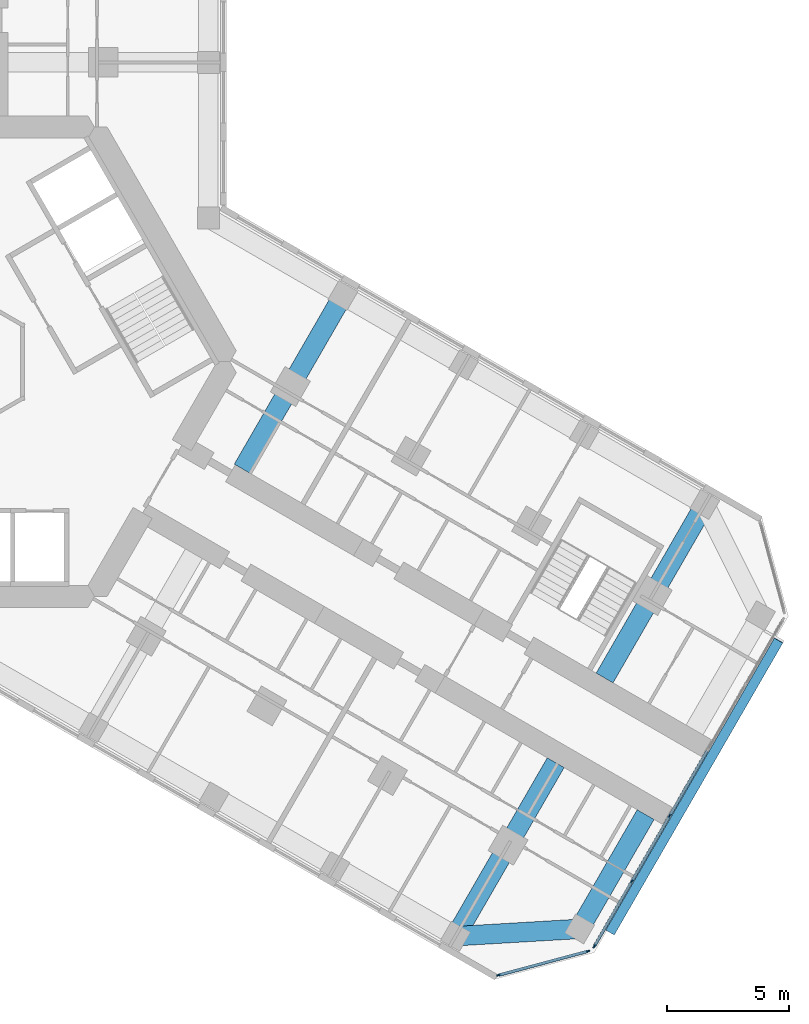
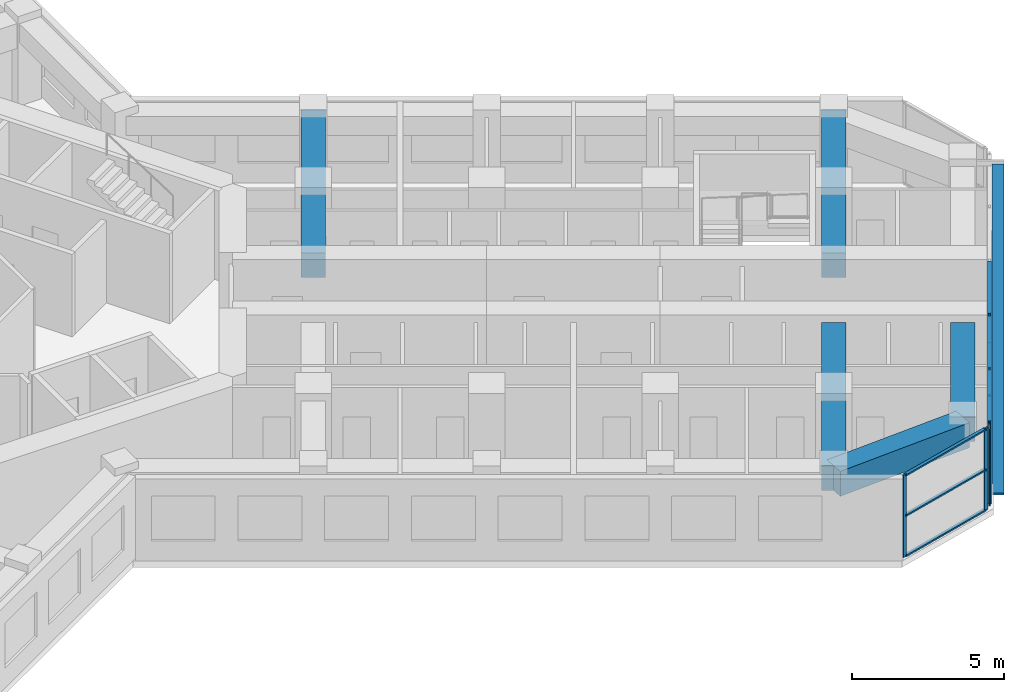
# One storey, part 5 of 20: 15 members, 5 beams, 2 elements without a shape of their own.
"""IFC4 building model written with IfcOpenShell, lengths in metres."""

from ifc_helpers import new_model, si_unit, direction, frame, origin, origin_2d, place, context, subcontext, project, spatial, rectangle, extrude, material, material_profile, profile_set, type_object, element, aggregate, save


model = new_model("IFC4")

# Units and contexts
model_context = context("Model", 3, precision=1e-05, world=origin(), true_north=direction((0.0, 1.0)))
body_context = subcontext(model_context, "Body", "Model", "MODEL_VIEW")
ifc_project = project(units=[si_unit("LENGTHUNIT", "METRE"), si_unit("AREAUNIT", "SQUARE_METRE"), si_unit("VOLUMEUNIT", "CUBIC_METRE"), si_unit("PLANEANGLEUNIT", "RADIAN"), si_unit("MASSUNIT", "GRAM", prefix="KILO")], contexts=[model_context])

# Site, building, storey
site_placement = place(None, origin())
site = spatial("IfcSite", under=ifc_project, at=site_placement, CompositionType="ELEMENT")
building_placement = place(site_placement, origin())
building = spatial("IfcBuilding", under=site, at=building_placement, Name="Kosmar Iwan School Tower", CompositionType="ELEMENT")
storey_placement = place(building_placement, frame((0.0, 0.0, 183.199951171875)))
storey = spatial("IfcBuildingStorey", under=building, at=storey_placement, Name="L46", CompositionType="ELEMENT", Elevation=183.199951171875)

# Beams
ifc_material_1 = material(Name="Concrete C50/60", Category="concrete")
ifc_material_profile_1 = material_profile(ifc_material_1, rectangle(XDim=0.800048828125, YDim=1.0, at=origin_2d()), Name="RC 800x1000 + HD 400x347")
ifc_profile_set_1 = profile_set([ifc_material_profile_1], Name="Concrete C50/60")
beam_type_1 = type_object("IfcBeamType", Name="Composite tip beam 800x1000 HD 400x347", PredefinedType="BEAM", material=ifc_profile_set_1)
beam_1_placement = place(storey_placement, frame((20.31787109375, -23.508544921875, 2.800048828125), z_axis=(0.998260616478, 0.058955420358, 0.0), x_axis=(-0.058955420358, 0.998260616478, 0.0)))
element("IfcBeam", 1, at=beam_1_placement, inside=storey, type_object=beam_type_1, Name="Tip beam CR", PredefinedType="BEAM", context=body_context, shape_type="SweptSolid", body=[
    extrude(rectangle(XDim=0.800048828125, YDim=1.0, at=origin_2d()), origin(), (0.0, 0.0, 1.0), 5.08935546875),
])
beam_2_placement = place(storey_placement, frame((25.3984375, -23.20849609375, 2.800048828125), z_axis=(0.499995103361, 0.866028230842, 0.0), x_axis=(-0.866028230842, 0.499995103361, 0.0)))
element("IfcBeam", 2, at=beam_2_placement, inside=storey, type_object=beam_type_1, Name="Tip beam CR to corridor wall", PredefinedType="BEAM", context=body_context, shape_type="SweptSolid", body=[
    extrude(rectangle(XDim=0.800048828125, YDim=1.0, at=origin_2d()), origin(), (0.0, 0.0, 1.0), 5.39990234375),
])
ifc_material_2 = material(Name="Concrete C50/60", Category="concrete")
ifc_material_profile_2 = material_profile(ifc_material_2, rectangle(XDim=0.800048828125, YDim=1.0, at=origin_2d()), Name="RC 800x1000 + HD 400x634")
ifc_profile_set_2 = profile_set([ifc_material_profile_2], Name="Concrete C50/60")
beam_type_2 = type_object("IfcBeamType", Name="Composite transverse beam 800x1000 HD 400x634", PredefinedType="BEAM", material=ifc_profile_set_2)
for number, where, z_axis, x_axis, name in (
    (3, (15.708740234375, 2.70849609375, 2.800048828125), (-0.499978459874, -0.866037839625, 0.0), (0.866037839625, -0.499978459874, 0.0), "Transverse beam CL1"),
    (4, (30.517822265625, -5.841552734375, 2.800048828125), (-0.500013681986, -0.866017504342, 0.0), (0.866017504342, -0.500013681986, 0.0), "Transverse beam CL4"),
    (5, (20.31787109375, -23.508544921875, 2.800048828125), (0.499978459874, 0.866037839625, 0.0), (-0.866037839625, 0.499978459874, 0.0), "Transverse beam CR4"),
):
    element("IfcBeam", number, at=place(storey_placement, frame(where, z_axis=z_axis, x_axis=x_axis)), inside=storey, type_object=beam_type_2, Name=name, PredefinedType="BEAM", context=body_context, shape_type="SweptSolid", body=[
        extrude(rectangle(XDim=0.800048828125, YDim=1.0, at=origin_2d()), origin(), (0.0, 0.0, 1.0), 8.199951171875),
    ])

# Member
ifc_material_3 = material(Name="Black anodised aluminium", Category="aluminium")
ifc_material_profile_3 = material_profile(ifc_material_3, rectangle(XDim=0.10009765625, YDim=0.39990234375, at=origin_2d()), Name="FIN 100x400")
ifc_profile_set_3 = profile_set([ifc_material_profile_3], Name="Black anodised aluminium")
member_type_1 = type_object("IfcMemberType", Name="Diagonal fin 100x400", PredefinedType="USERDEFINED", material=ifc_profile_set_3)
member_1_placement = place(storey_placement, frame((26.645263671875, -23.34912109375, -0.14990234375), z_axis=(0.484219792667, 0.838708782627, 0.249196248635), x_axis=(-0.124596397335, -0.21581127891, 0.968453008497)))
element("IfcMember", 6, at=member_1_placement, inside=storey, type_object=member_type_1, Name="Diagonal fin L46-F03", ObjectType="FIN", PredefinedType="USERDEFINED", context=body_context, shape_type="SweptSolid", body=[
    extrude(rectangle(XDim=0.10009765625, YDim=0.39990234375, at=origin_2d()), origin(), (0.0, 0.0, 1.0), 14.24609375),
])

# Curtain wall, members
ifc_material_4 = material(Name="Dark glass in black aluminium frame", Category="aluminium")
curtain_wall_type_1 = type_object("IfcCurtainWallType", Name="Chamfer curtain wall dark glass", PredefinedType="USERDEFINED", material=ifc_material_4)
curtain_wall_1_placement = place(storey_placement, origin())
curtain_wall_1 = element("IfcCurtainWall", 7, at=curtain_wall_1_placement, inside=storey, type_object=curtain_wall_type_1, Name="Curtain wall L46-F02", ObjectType="FACETED CURTAIN WALL", PredefinedType="USERDEFINED")
ifc_material_5 = material(Name="Black anodised aluminium", Category="aluminium")
ifc_material_profile_4 = material_profile(ifc_material_5, rectangle(XDim=0.06005859375, YDim=0.159912109375, at=origin_2d()), Name="MULLION 60x160")
ifc_profile_set_4 = profile_set([ifc_material_profile_4], Name="Black anodised aluminium")
member_type_2 = type_object("IfcMemberType", Name="Mullion 60x160", PredefinedType="MULLION", material=ifc_profile_set_4)
member_2_placement = place(storey_placement, frame((22.0830078125, -25.102294921875, 0.0), z_axis=(0.0, 0.0, 1.0), x_axis=(-0.258818861462, 0.965925875495, 0.0)))
member_2 = element("IfcMember", 8, at=member_2_placement, type_object=member_type_2, Name="CW2 mullion 1", PredefinedType="MULLION", context=body_context, shape_type="SweptSolid", body=[
    extrude(rectangle(XDim=0.06005859375, YDim=0.159912109375, at=origin_2d()), origin(), (0.0, 0.0, 1.0), 3.300048828125),
])
member_3_placement = place(storey_placement, frame((25.733154296875, -24.124267578125, 0.0), z_axis=(0.0, 0.0, 1.0), x_axis=(-0.258818861462, 0.965925875495, 0.0)))
member_3 = element("IfcMember", 9, at=member_3_placement, type_object=member_type_2, Name="CW2 mullion 2", PredefinedType="MULLION", context=body_context, shape_type="SweptSolid", body=[
    extrude(rectangle(XDim=0.06005859375, YDim=0.159912109375, at=origin_2d()), origin(), (0.0, 0.0, 1.0), 3.300048828125),
])

ifc_material_6 = material(Name="Dark glass in black aluminium frame", Category="aluminium")
curtain_wall_type_2 = type_object("IfcCurtainWallType", Name="Tower curtain wall dark glass", PredefinedType="USERDEFINED", material=ifc_material_6)
curtain_wall_2_placement = place(storey_placement, origin())
curtain_wall_2 = element("IfcCurtainWall", 10, at=curtain_wall_2_placement, inside=storey, type_object=curtain_wall_type_2, Name="Curtain wall L46-F03", ObjectType="UNITISED CURTAIN WALL", PredefinedType="USERDEFINED")
member_4_placement = place(storey_placement, frame((25.9970703125, -23.921630859375, 0.0), z_axis=(0.0, 0.0, 1.0), x_axis=(-0.866025405329, 0.499999997325, 0.0)))
member_4 = element("IfcMember", 11, at=member_4_placement, type_object=member_type_2, Name="CW1 mullion 1", PredefinedType="MULLION", context=body_context, shape_type="SweptSolid", body=[
    extrude(rectangle(XDim=0.06005859375, YDim=0.159912109375, at=origin_2d()), origin(), (0.0, 0.0, 1.0), 3.300048828125),
])
member_5_placement = place(storey_placement, frame((27.53173828125, -21.263671875, 0.0), z_axis=(0.0, 0.0, 1.0), x_axis=(-0.866025405329, 0.499999997325, 0.0)))
member_5 = element("IfcMember", 12, at=member_5_placement, type_object=member_type_2, Name="CW1 mullion 2", PredefinedType="MULLION", context=body_context, shape_type="SweptSolid", body=[
    extrude(rectangle(XDim=0.06005859375, YDim=0.159912109375, at=origin_2d()), origin(), (0.0, 0.0, 1.0), 3.300048828125),
])
member_6_placement = place(storey_placement, frame((29.081298828125, -18.57958984375, 0.0), z_axis=(0.0, 0.0, 1.0), x_axis=(-0.866025405329, 0.499999997325, 0.0)))
member_6 = element("IfcMember", 13, at=member_6_placement, type_object=member_type_2, Name="CW1 mullion 3", PredefinedType="MULLION", context=body_context, shape_type="SweptSolid", body=[
    extrude(rectangle(XDim=0.06005859375, YDim=0.159912109375, at=origin_2d()), origin(), (0.0, 0.0, 1.0), 3.300048828125),
])

# Member
ifc_material_7 = material(Name="Black anodised aluminium", Category="aluminium")
ifc_material_profile_5 = material_profile(ifc_material_7, rectangle(XDim=0.1201171875, YDim=0.06005859375, at=origin_2d()), Name="TRANSOM 60x120")
ifc_profile_set_5 = profile_set([ifc_material_profile_5], Name="Black anodised aluminium")
member_type_3 = type_object("IfcMemberType", Name="Transom 60x120", PredefinedType="USERDEFINED", material=ifc_profile_set_5)
member_7_placement = place(storey_placement, frame((22.11181640625, -25.094482421875, 0.030029296875), z_axis=(0.965923731726, 0.258826861991, 0.0), x_axis=(-0.258826861991, 0.965923731726, 0.0)))
member_7 = element("IfcMember", 14, at=member_7_placement, type_object=member_type_3, Name="CW2 transom 1.1", ObjectType="TRANSOM", PredefinedType="USERDEFINED", context=body_context, shape_type="SweptSolid", body=[
    extrude(rectangle(XDim=0.1201171875, YDim=0.06005859375, at=origin_2d()), origin(), (0.0, 0.0, 1.0), 3.71923828125),
])

member_8_placement = place(storey_placement, frame((22.11181640625, -25.094482421875, 1.650146484375), z_axis=(0.965923731726, 0.258826861991, 0.0), x_axis=(-0.258826861991, 0.965923731726, 0.0)))
member_8 = element("IfcMember", 15, at=member_8_placement, type_object=member_type_3, Name="CW2 transom 1.2", ObjectType="TRANSOM", PredefinedType="USERDEFINED", context=body_context, shape_type="SweptSolid", body=[
    extrude(rectangle(XDim=0.1201171875, YDim=0.06005859375, at=origin_2d()), origin(), (0.0, 0.0, 1.0), 3.71923828125),
])

member_9_placement = place(storey_placement, frame((22.11181640625, -25.094482421875, 3.27001953125), z_axis=(0.965923731726, 0.258826861991, 0.0), x_axis=(-0.258826861991, 0.965923731726, 0.0)))
member_9 = element("IfcMember", 16, at=member_9_placement, type_object=member_type_3, Name="CW2 transom 1.3", ObjectType="TRANSOM", PredefinedType="USERDEFINED", context=body_context, shape_type="SweptSolid", body=[
    extrude(rectangle(XDim=0.1201171875, YDim=0.06005859375, at=origin_2d()), origin(), (0.0, 0.0, 1.0), 3.71923828125),
])

aggregate(curtain_wall_1, [member_2, member_3, member_7, member_8, member_9])

member_10_placement = place(storey_placement, frame((26.01220703125, -23.895751953125, 0.030029296875), z_axis=(0.499986971506, 0.866032925658, 0.0), x_axis=(-0.866032925658, 0.499986971506, 0.0)))
member_10 = element("IfcMember", 17, at=member_10_placement, type_object=member_type_3, Name="CW1 transom 1.1", ObjectType="TRANSOM", PredefinedType="USERDEFINED", context=body_context, shape_type="SweptSolid", body=[
    extrude(rectangle(XDim=0.1201171875, YDim=0.06005859375, at=origin_2d()), origin(), (0.0, 0.0, 1.0), 3.00927734375),
])

member_11_placement = place(storey_placement, frame((26.01220703125, -23.895751953125, 3.27001953125), z_axis=(0.499986971506, 0.866032925658, 0.0), x_axis=(-0.866032925658, 0.499986971506, 0.0)))
member_11 = element("IfcMember", 18, at=member_11_placement, type_object=member_type_3, Name="CW1 transom 1.2", ObjectType="TRANSOM", PredefinedType="USERDEFINED", context=body_context, shape_type="SweptSolid", body=[
    extrude(rectangle(XDim=0.1201171875, YDim=0.06005859375, at=origin_2d()), origin(), (0.0, 0.0, 1.0), 3.00927734375),
])

member_12_placement = place(storey_placement, frame((27.546875, -21.237548828125, 0.030029296875), z_axis=(0.499975102327, 0.866039777986, 0.0), x_axis=(-0.866039777986, 0.499975102327, 0.0)))
member_12 = element("IfcMember", 19, at=member_12_placement, type_object=member_type_3, Name="CW1 transom 2.1", ObjectType="TRANSOM", PredefinedType="USERDEFINED", context=body_context, shape_type="SweptSolid", body=[
    extrude(rectangle(XDim=0.1201171875, YDim=0.06005859375, at=origin_2d()), origin(), (0.0, 0.0, 1.0), 3.039306640625),
])

member_13_placement = place(storey_placement, frame((27.546875, -21.237548828125, 3.27001953125), z_axis=(0.499975102327, 0.866039777986, 0.0), x_axis=(-0.866039777986, 0.499975102327, 0.0)))
member_13 = element("IfcMember", 20, at=member_13_placement, type_object=member_type_3, Name="CW1 transom 2.2", ObjectType="TRANSOM", PredefinedType="USERDEFINED", context=body_context, shape_type="SweptSolid", body=[
    extrude(rectangle(XDim=0.1201171875, YDim=0.06005859375, at=origin_2d()), origin(), (0.0, 0.0, 1.0), 3.039306640625),
])

member_14_placement = place(storey_placement, frame((29.096435546875, -18.553466796875, 0.030029296875), z_axis=(0.499975102327, 0.866039777986, 0.0), x_axis=(-0.866039777986, 0.499975102327, 0.0)))
member_14 = element("IfcMember", 21, at=member_14_placement, type_object=member_type_3, Name="CW1 transom 3.1", ObjectType="TRANSOM", PredefinedType="USERDEFINED", context=body_context, shape_type="SweptSolid", body=[
    extrude(rectangle(XDim=0.1201171875, YDim=0.06005859375, at=origin_2d()), origin(), (0.0, 0.0, 1.0), 3.039306640625),
])

member_15_placement = place(storey_placement, frame((29.096435546875, -18.553466796875, 3.27001953125), z_axis=(0.499975102327, 0.866039777986, 0.0), x_axis=(-0.866039777986, 0.499975102327, 0.0)))
member_15 = element("IfcMember", 22, at=member_15_placement, type_object=member_type_3, Name="CW1 transom 3.2", ObjectType="TRANSOM", PredefinedType="USERDEFINED", context=body_context, shape_type="SweptSolid", body=[
    extrude(rectangle(XDim=0.1201171875, YDim=0.06005859375, at=origin_2d()), origin(), (0.0, 0.0, 1.0), 3.039306640625),
])

aggregate(curtain_wall_2, [member_4, member_5, member_6, member_10, member_11, member_12, member_13, member_14, member_15])

save(model, "model.ifc")
